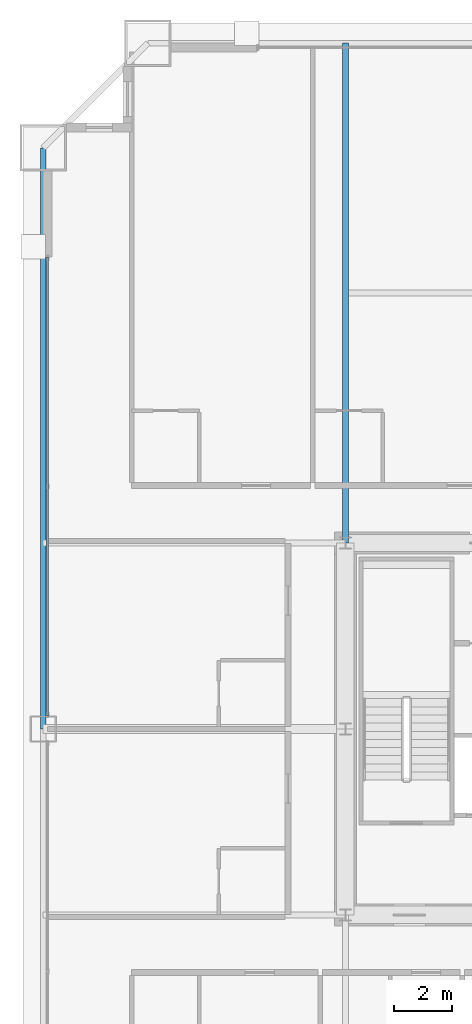
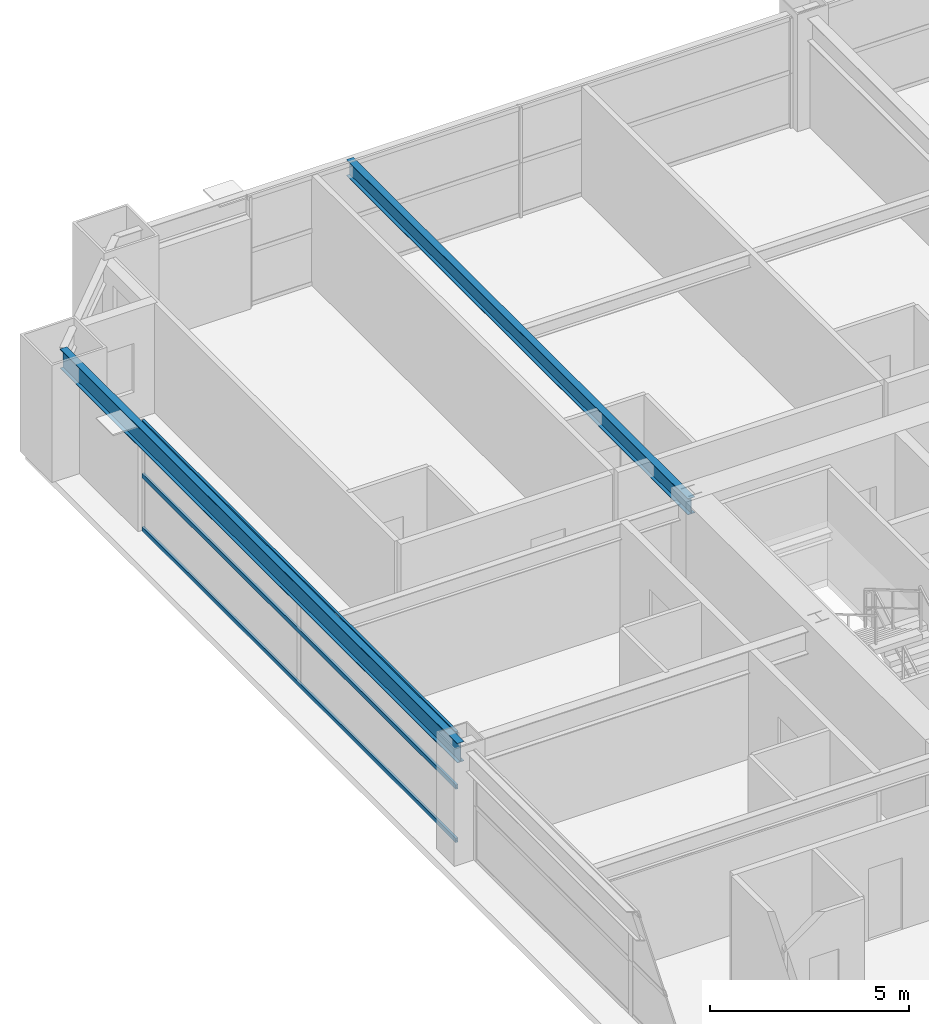
# One storey, part 22 of 39: 3 members, 2 beams, 1 element without a shape of its own.
"""IFC4 building model written with IfcOpenShell, lengths in metres."""

from ifc_helpers import new_model, si_unit, direction, frame, origin, origin_2d, place, context, subcontext, project, spatial, hollow_rectangle, i_section, extrude, source, transform, mapped, material, layer, layer_set, material_profile, profile_set, type_object, element, aggregate, save


model = new_model("IFC4")

# Units and contexts
model_context = context("Model", 3, precision=1e-05, world=origin(), true_north=direction((0.0, 1.0)))
body_context = subcontext(model_context, "Body", "Model", "MODEL_VIEW")
ifc_project = project(units=[si_unit("LENGTHUNIT", "METRE"), si_unit("AREAUNIT", "SQUARE_METRE"), si_unit("VOLUMEUNIT", "CUBIC_METRE"), si_unit("PLANEANGLEUNIT", "RADIAN"), si_unit("MASSUNIT", "GRAM", prefix="KILO"), si_unit("THERMODYNAMICTEMPERATUREUNIT", "KELVIN"), si_unit("POWERUNIT", "WATT")], contexts=[model_context])

# Site, building, storey
site_placement = place(None, origin())
site = spatial("IfcSite", under=ifc_project, at=site_placement, CompositionType="ELEMENT")
building_placement = place(site_placement, origin())
building = spatial("IfcBuilding", under=site, at=building_placement, Name="Yuzanri Waterfront Tower", CompositionType="ELEMENT")
storey_placement = place(building_placement, frame((0.0, 0.0, 156.0)))
storey = spatial("IfcBuildingStorey", under=building, at=storey_placement, Name="L41", CompositionType="ELEMENT", Elevation=156.0)

# Beams
ifc_material_1 = material(Name="Steel Q355B", Category="steel")
ifc_material_profile_1 = material_profile(ifc_material_1, i_section(OverallWidth=0.199951171875, OverallDepth=0.60009765625, WebThickness=0.010986328125, FlangeThickness=0.01708984375, at=origin_2d()), Name="HN 600x200x11x17")
ifc_profile_set_1 = profile_set([ifc_material_profile_1], Name="Steel Q355B")
beam_type_1 = type_object("IfcBeamType", Name="Perimeter Spandrel Q355B HN 600x200", PredefinedType="SPANDREL", material=ifc_profile_set_1)
shared_shape_1 = source(origin(), body_context, "Body", "SweptSolid", [
    extrude(i_section(OverallWidth=0.199951171875, OverallDepth=0.60009765625, WebThickness=0.010986328125, FlangeThickness=0.01708984375, at=origin_2d()), origin(), (0.0, 0.0, 1.0), 20.0),
])
beam_1_placement = place(storey_placement, frame((13.39990234375, 45.800048828125, 3.080078125), z_axis=(0.0, -1.0, 0.0), x_axis=(1.0, 0.0, 0.0)))
element("IfcBeam", 1, at=beam_1_placement, inside=storey, type_object=beam_type_1, Name="L41 Perimeter Spandrel W3-W2", PredefinedType="SPANDREL", context=body_context, shape_type="MappedRepresentation", body=[
    mapped(shared_shape_1, transform((0.0, 0.0, 0.0), scale=1.0)),
])
ifc_material_2 = material(Name="Steel Q355B", Category="steel")
ifc_material_profile_2 = material_profile(ifc_material_2, i_section(OverallWidth=0.199951171875, OverallDepth=0.5, WebThickness=0.010009765625, FlangeThickness=0.01611328125, at=origin_2d()), Name="HN 500x200x10x16")
ifc_profile_set_2 = profile_set([ifc_material_profile_2], Name="Steel Q355B")
beam_type_2 = type_object("IfcBeamType", Name="Secondary Floor Beam Q355B HN 500x200", PredefinedType="BEAM", material=ifc_profile_set_2)
shared_shape_2 = source(origin(), body_context, "Body", "SweptSolid", [
    extrude(i_section(OverallWidth=0.199951171875, OverallDepth=0.5, WebThickness=0.010009765625, FlangeThickness=0.01611328125, at=origin_2d()), origin(), (0.0, 0.0, 1.0), 17.199951171875),
])
beam_2_placement = place(storey_placement, frame((23.800048828125, 32.199951171875, 3.1298828125), z_axis=(0.0, 1.0, 0.0), x_axis=(-1.0, 0.0, 0.0)))
element("IfcBeam", 2, at=beam_2_placement, inside=storey, type_object=beam_type_2, Name="L41 North-West Core Line Beam", PredefinedType="BEAM", context=body_context, shape_type="MappedRepresentation", body=[
    mapped(shared_shape_2, transform((0.0, 0.0, 0.0), scale=1.0)),
])

# Curtain wall, members
ifc_material_3 = material(Name="Anodized Architectural Bronze", Category="metal")
ifc_layer = layer(ifc_material_3, 0.159912109375)
ifc_layer_set = layer_set([ifc_layer], Name="Anodized Architectural Bronze")
curtain_wall_type = type_object("IfcCurtainWallType", Name="Anodized Bronze Hotel Upper-Tier Solar-Control Unitized Curtain Wall 7800", PredefinedType="NOTDEFINED", material=ifc_layer_set)
curtain_wall_placement = place(storey_placement, origin())
curtain_wall = element("IfcCurtainWall", 3, at=curtain_wall_placement, inside=storey, type_object=curtain_wall_type, Name="L41 Curtain Wall CW-L41-WR", PredefinedType="NOTDEFINED")
ifc_material_4 = material(Name="Anodized Architectural Bronze", Category="metal")
ifc_material_profile_3 = material_profile(ifc_material_4, hollow_rectangle(XDim=0.070068359375, YDim=0.135009765625, WallThickness=0.00341796875, at=origin_2d()), Name="CWT 70x135")
ifc_profile_set_3 = profile_set([ifc_material_profile_3], Name="Anodized Architectural Bronze")
member_type = type_object("IfcMemberType", Name="Anodized Bronze Standard Curtain-Wall Transom 70x135", PredefinedType="USERDEFINED", material=ifc_profile_set_3)
shared_shape_3 = source(origin(), body_context, "Body", "SweptSolid", [
    extrude(hollow_rectangle(XDim=0.070068359375, YDim=0.135009765625, WallThickness=0.00341796875, at=origin_2d()), origin(), (0.0, 0.0, 1.0), 15.800048828125),
])
member_1_placement = place(storey_placement, frame((13.550048828125, 26.25, 0.050048828125), z_axis=(0.0, 1.0, 0.0), x_axis=(-1.0, 0.0, 0.0)))
member_1 = element("IfcMember", 4, at=member_1_placement, type_object=member_type, Name="CW-L41-WR Transom 1", ObjectType="TRANSOM", PredefinedType="USERDEFINED", context=body_context, shape_type="MappedRepresentation", body=[
    mapped(shared_shape_3, transform((0.0, 0.0, 0.0), scale=1.0)),
])
member_2_placement = place(storey_placement, frame((13.550048828125, 26.25, 1.68994140625), z_axis=(0.0, 1.0, 0.0), x_axis=(-1.0, 0.0, 0.0)))
member_2 = element("IfcMember", 5, at=member_2_placement, type_object=member_type, Name="CW-L41-WR Transom 2", ObjectType="TRANSOM", PredefinedType="USERDEFINED", context=body_context, shape_type="MappedRepresentation", body=[
    mapped(shared_shape_3, transform((0.0, 0.0, 0.0), scale=1.0)),
])
member_3_placement = place(storey_placement, frame((13.550048828125, 26.25, 3.330078125), z_axis=(0.0, 1.0, 0.0), x_axis=(-1.0, 0.0, 0.0)))
member_3 = element("IfcMember", 6, at=member_3_placement, type_object=member_type, Name="CW-L41-WR Transom 3", ObjectType="TRANSOM", PredefinedType="USERDEFINED", context=body_context, shape_type="MappedRepresentation", body=[
    mapped(shared_shape_3, transform((0.0, 0.0, 0.0), scale=1.0)),
])
aggregate(curtain_wall, [member_1, member_2, member_3])

save(model, "model.ifc")
